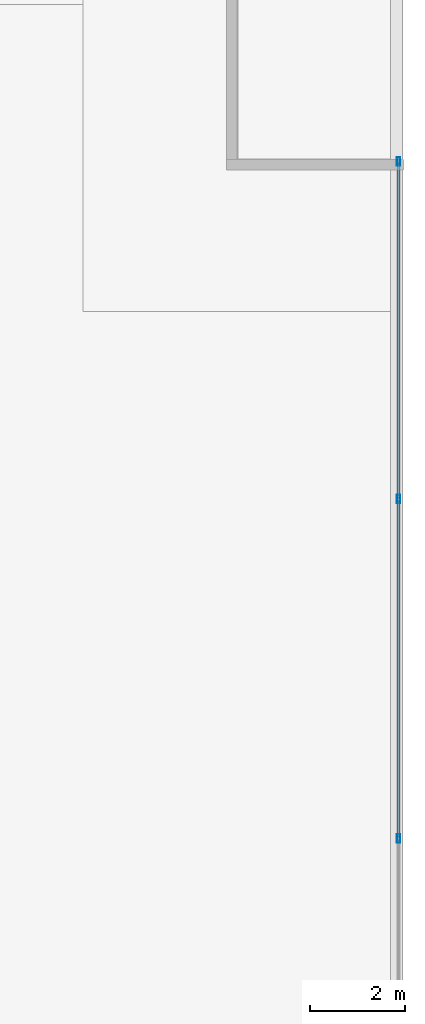
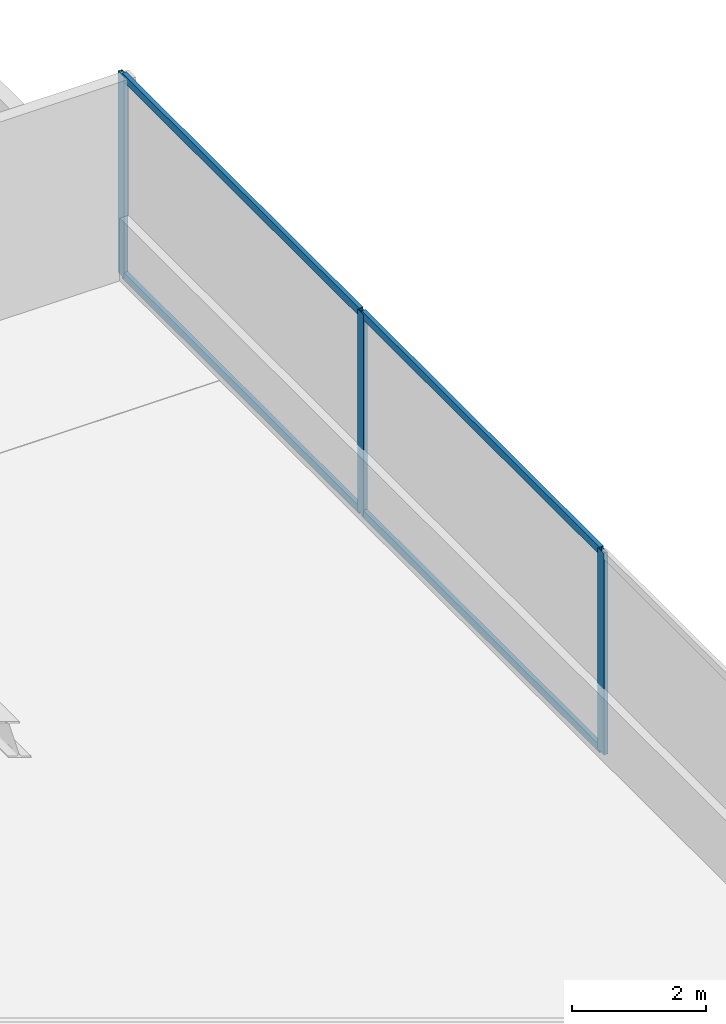
# One storey, part 22 of 30: 7 members, 1 element without a shape of its own.
"""IFC4 building model written with IfcOpenShell, lengths in metres."""

from ifc_helpers import new_model, si_unit, direction, frame, origin, origin_2d, place, context, subcontext, project, spatial, hollow_rectangle, extrude, source, transform, mapped, material, material_profile, profile_set, type_object, type_shapes, element, aggregate, save


model = new_model("IFC4")

# Units and contexts
model_context = context("Model", 3, precision=1e-05, world=origin(), true_north=direction((0.0, 1.0)))
body_context = subcontext(model_context, "Body", "Model", "MODEL_VIEW")
ifc_project = project(units=[si_unit("LENGTHUNIT", "METRE"), si_unit("AREAUNIT", "SQUARE_METRE"), si_unit("VOLUMEUNIT", "CUBIC_METRE"), si_unit("PLANEANGLEUNIT", "RADIAN"), si_unit("MASSUNIT", "GRAM", prefix="KILO")], contexts=[model_context])

# Site, building, storey
site_placement = place(None, origin())
site = spatial("IfcSite", under=ifc_project, at=site_placement, CompositionType="ELEMENT")
building_placement = place(site_placement, origin())
building = spatial("IfcBuilding", under=site, at=building_placement, Name="Krantzveldt Concourse Tower", CompositionType="ELEMENT")
storey_placement = place(building_placement, frame((0.0, 0.0, 25.0)))
storey = spatial("IfcBuildingStorey", under=building, at=storey_placement, Name="L05", CompositionType="ELEMENT", Elevation=25.0)

# Curtain wall, members
ifc_material = material(Name="Anodised aluminium 6063-T6", Category="aluminium")
curtain_wall_type = type_object("IfcCurtainWallType", Name="CW2", PredefinedType="USERDEFINED", material=ifc_material)
curtain_wall_placement = place(storey_placement, origin())
curtain_wall = element("IfcCurtainWall", 1, at=curtain_wall_placement, inside=storey, type_object=curtain_wall_type, Name="CW-L05-F07", ObjectType="UNITISED CURTAIN WALL", PredefinedType="USERDEFINED")
ifc_material_profile_1 = material_profile(ifc_material, hollow_rectangle(XDim=0.070068359375, YDim=0.179931640625, WallThickness=0.0048828125, at=origin_2d()), Name="Anodised aluminium 6063-T6", Category="aluminium")
ifc_profile_set_1 = profile_set([ifc_material_profile_1], Name="Anodised aluminium 6063-T6 - ALU-MULL 180x70x5")
member_type_1 = type_object("IfcMemberType", Name="CW-MUL-180", PredefinedType="MULLION", material=ifc_profile_set_1)
shared_shape_1 = source(origin(), body_context, "Body", "SweptSolid", [
    extrude(hollow_rectangle(XDim=0.070068359375, YDim=0.179931640625, WallThickness=0.0048828125, at=origin_2d()), origin(), (0.0, 0.0, 1.0), 3.669921875),
])
type_shapes(member_type_1, [shared_shape_1])
member_1_placement = place(storey_placement, frame((60.909912109375, 33.86669921875, 0.0), z_axis=(0.0, 0.0, 1.0), x_axis=(-1.0, 0.0, 0.0)))
member_1 = element("IfcMember", 2, at=member_1_placement, type_object=member_type_1, Name="CW-Z12 mullion 5", PredefinedType="MULLION", context=body_context, shape_type="MappedRepresentation", body=[
    mapped(shared_shape_1, transform((0.0, 0.0, 0.0), x_axis=(1.0, 0.0, 0.0), y_axis=(0.0, 1.0, 0.0), z_axis=(0.0, 0.0, 1.0), scale=1.0)),
])
member_2_placement = place(storey_placement, frame((60.909912109375, 41.033447265625, 0.0), z_axis=(0.0, 0.0, 1.0), x_axis=(-1.0, 0.0, 0.0)))
member_2 = element("IfcMember", 3, at=member_2_placement, type_object=member_type_1, Name="CW-Z12 mullion 6", PredefinedType="MULLION", context=body_context, shape_type="MappedRepresentation", body=[
    mapped(shared_shape_1, transform((0.0, 0.0, 0.0), x_axis=(1.0, 0.0, 0.0), y_axis=(0.0, 1.0, 0.0), z_axis=(0.0, 0.0, 1.0), scale=1.0)),
])
member_3_placement = place(storey_placement, frame((60.909912109375, 48.1650390625, 0.0), z_axis=(0.0, 0.0, 1.0), x_axis=(-1.0, 0.0, 0.0)))
member_3 = element("IfcMember", 4, at=member_3_placement, type_object=member_type_1, Name="CW-Z12 mullion 7", PredefinedType="MULLION", context=body_context, shape_type="MappedRepresentation", body=[
    mapped(shared_shape_1, transform((0.0, 0.0, 0.0), x_axis=(1.0, 0.0, 0.0), y_axis=(0.0, 1.0, 0.0), z_axis=(0.0, 0.0, 1.0), scale=1.0)),
])
ifc_material_profile_2 = material_profile(ifc_material, hollow_rectangle(XDim=0.070068359375, YDim=0.139892578125, WallThickness=0.0048828125, at=origin_2d()), Name="Anodised aluminium 6063-T6", Category="aluminium")
ifc_profile_set_2 = profile_set([ifc_material_profile_2], Name="Anodised aluminium 6063-T6 - ALU-TRAN 140x70x5")
member_type_2 = type_object("IfcMemberType", Name="CW-TRN-150", PredefinedType="USERDEFINED", material=ifc_profile_set_2)
shared_shape_2 = source(origin(), body_context, "Body", "SweptSolid", [
    extrude(hollow_rectangle(XDim=0.070068359375, YDim=0.139892578125, WallThickness=0.0048828125, at=origin_2d()), origin(), (0.0, 0.0, 1.0), 7.0615234375),
])
member_4_placement = place(storey_placement, frame((60.909912109375, 41.068359375, 0.034912109375), z_axis=(0.0, 1.0, 0.0), x_axis=(-1.0, 0.0, 0.0)))
member_4 = element("IfcMember", 5, at=member_4_placement, type_object=member_type_2, Name="CW-Z12 transom 6.1", ObjectType="TRANSOM", PredefinedType="USERDEFINED", context=body_context, shape_type="MappedRepresentation", body=[
    mapped(shared_shape_2, transform((0.0, 0.0, 0.0), x_axis=(1.0, 0.0, 0.0), y_axis=(0.0, 1.0, 0.0), z_axis=(0.0, 0.0, 1.0), scale=1.0)),
])
member_5_placement = place(storey_placement, frame((60.909912109375, 41.068359375, 3.635009765625), z_axis=(0.0, 1.0, 0.0), x_axis=(-1.0, 0.0, 0.0)))
member_5 = element("IfcMember", 6, at=member_5_placement, type_object=member_type_2, Name="CW-Z12 transom 6.2", ObjectType="TRANSOM", PredefinedType="USERDEFINED", context=body_context, shape_type="MappedRepresentation", body=[
    mapped(shared_shape_2, transform((0.0, 0.0, 0.0), x_axis=(1.0, 0.0, 0.0), y_axis=(0.0, 1.0, 0.0), z_axis=(0.0, 0.0, 1.0), scale=1.0)),
])
shared_shape_3 = source(origin(), body_context, "Body", "SweptSolid", [
    extrude(hollow_rectangle(XDim=0.070068359375, YDim=0.139892578125, WallThickness=0.0048828125, at=origin_2d()), origin(), (0.0, 0.0, 1.0), 7.0966796875),
])
type_shapes(member_type_2, [shared_shape_2, shared_shape_3])
member_6_placement = place(storey_placement, frame((60.909912109375, 33.901611328125, 0.034912109375), z_axis=(0.0, 1.0, 0.0), x_axis=(-1.0, 0.0, 0.0)))
member_6 = element("IfcMember", 7, at=member_6_placement, type_object=member_type_2, Name="CW-Z12 transom 5.1", ObjectType="TRANSOM", PredefinedType="USERDEFINED", context=body_context, shape_type="MappedRepresentation", body=[
    mapped(shared_shape_3, transform((0.0, 0.0, 0.0), x_axis=(1.0, 0.0, 0.0), y_axis=(0.0, 1.0, 0.0), z_axis=(0.0, 0.0, 1.0), scale=1.0)),
])
member_7_placement = place(storey_placement, frame((60.909912109375, 33.901611328125, 3.635009765625), z_axis=(0.0, 1.0, 0.0), x_axis=(-1.0, 0.0, 0.0)))
member_7 = element("IfcMember", 8, at=member_7_placement, type_object=member_type_2, Name="CW-Z12 transom 5.2", ObjectType="TRANSOM", PredefinedType="USERDEFINED", context=body_context, shape_type="MappedRepresentation", body=[
    mapped(shared_shape_3, transform((0.0, 0.0, 0.0), x_axis=(1.0, 0.0, 0.0), y_axis=(0.0, 1.0, 0.0), z_axis=(0.0, 0.0, 1.0), scale=1.0)),
])
aggregate(curtain_wall, [member_1, member_2, member_3, member_6, member_7, member_4, member_5])

save(model, "model.ifc")
